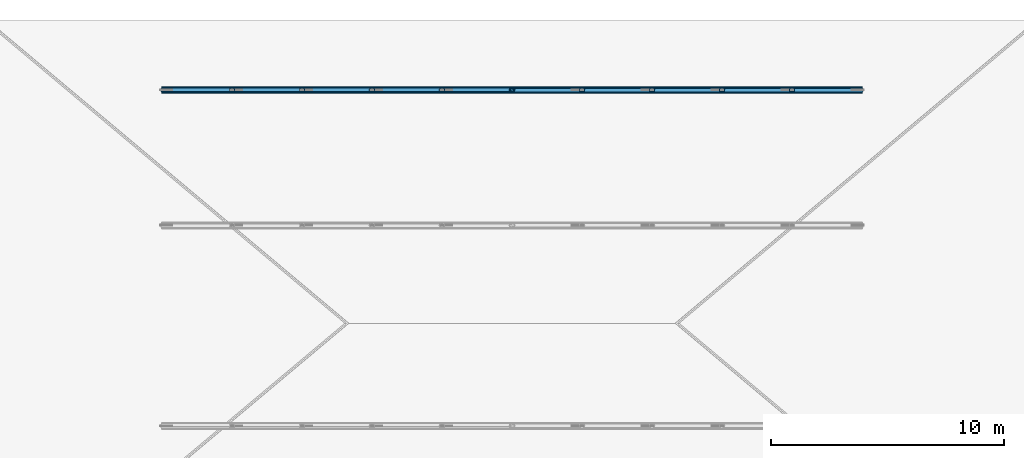
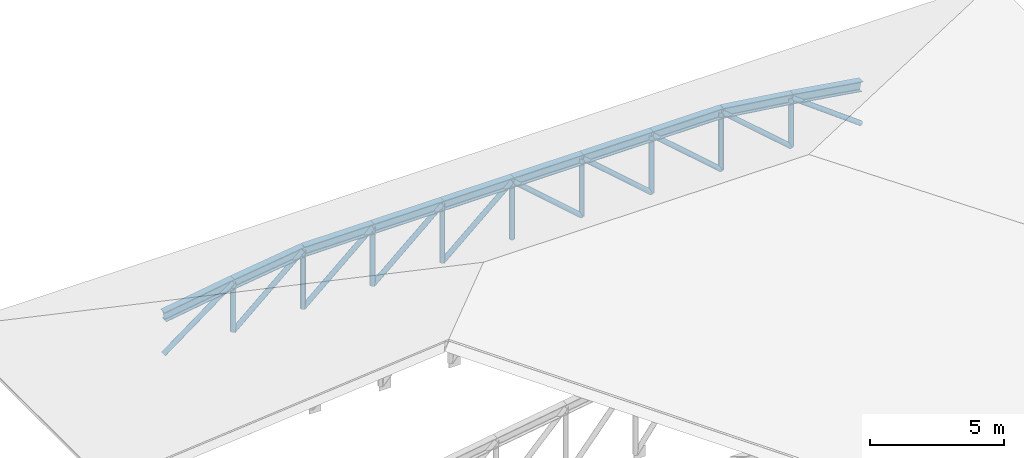
# One storey, part 3 of 6: 29 members.
"""IFC4 building model written with IfcOpenShell, lengths in metres."""

from ifc_helpers import new_model, si_unit, direction, frame, origin, origin_2d, place, context, subcontext, project, spatial, hollow_circle, i_section, extrude, material, material_profile, profile_set, type_object, element, save


model = new_model("IFC4")

# Units and contexts
model_context = context("Model", 3, precision=1e-05, world=origin(), true_north=direction((0.0, 1.0)))
body_context = subcontext(model_context, "Body", "Model", "MODEL_VIEW")
ifc_project = project(units=[si_unit("LENGTHUNIT", "METRE"), si_unit("AREAUNIT", "SQUARE_METRE"), si_unit("VOLUMEUNIT", "CUBIC_METRE"), si_unit("PLANEANGLEUNIT", "RADIAN"), si_unit("MASSUNIT", "GRAM", prefix="KILO")], contexts=[model_context])

# Site, building, storey
site_placement = place(None, origin())
site = spatial("IfcSite", under=ifc_project, at=site_placement, CompositionType="ELEMENT")
building_placement = place(site_placement, origin())
building = spatial("IfcBuilding", under=site, at=building_placement, Name="Muzn Square Opera House", CompositionType="ELEMENT")
storey_placement = place(building_placement, frame((0.0, 0.0, 35.39990234375)))
storey = spatial("IfcBuildingStorey", under=building, at=storey_placement, Name="RF-2", CompositionType="ELEMENT", Elevation=35.39990234375)

# Members
ifc_material = material(Name="Steel S355", Category="steel")
ifc_material_profile_1 = material_profile(ifc_material, i_section(OverallWidth=0.300048828125, OverallDepth=0.449951171875, WebThickness=0.013916015625, FlangeThickness=0.02587890625, FilletRadius=0.027099609375, at=origin_2d()), Name="HEB 450", Category="steel")
ifc_profile_set_1 = profile_set([ifc_material_profile_1], Name="Steel S355")
member_type_1 = type_object("IfcMemberType", Name="Stage Truss Chord HEB450", PredefinedType="CHORD", material=ifc_profile_set_1)
member_1_placement = place(storey_placement, frame((73.0, 95.60009765625, -0.25), z_axis=(0.987938344144, 0.0, 0.154847758042), x_axis=(0.0, 1.0, 0.0)))
element("IfcMember", 1, at=member_1_placement, inside=storey, type_object=member_type_1, Name="Stage Roof Truss Top Chord T4-0", PredefinedType="CHORD", context=body_context, shape_type="SweptSolid", body=[
    extrude(i_section(OverallWidth=0.300048828125, OverallDepth=0.449951171875, WebThickness=0.013916015625, FlangeThickness=0.02587890625, FilletRadius=0.027099609375, at=origin_2d()), origin(), (0.0, 0.0, 1.0), 3.03662109375),
])
member_2_placement = place(storey_placement, frame((76.0, 95.60009765625, 0.22021484375), z_axis=(0.990966088823, 0.0, 0.134112679501), x_axis=(0.0, 1.0, 0.0)))
element("IfcMember", 2, at=member_2_placement, inside=storey, type_object=member_type_1, Name="Stage Roof Truss Top Chord T4-1", PredefinedType="CHORD", context=body_context, shape_type="SweptSolid", body=[
    extrude(i_section(OverallWidth=0.300048828125, OverallDepth=0.449951171875, WebThickness=0.013916015625, FlangeThickness=0.02587890625, FilletRadius=0.027099609375, at=origin_2d()), origin(), (0.0, 0.0, 1.0), 3.02734375),
])
for number, where, z_axis, x_axis, name in (
    (3, (79.0, 95.60009765625, 0.626220703125), (1.0, 0.0, 0.0), (0.0, 1.0, 0.0), "Stage Roof Truss Top Chord T4-2"),
    (4, (82.0, 95.60009765625, 0.626220703125), (1.0, 0.0, 0.0), (0.0, 1.0, 0.0), "Stage Roof Truss Top Chord T4-3"),
    (5, (85.0, 95.60009765625, 0.626220703125), (1.0, 0.0, 0.0), (0.0, 1.0, 0.0), "Stage Roof Truss Top Chord T4-4"),
    (6, (88.0, 95.60009765625, 0.626220703125), (1.0, 0.0, 0.0), (0.0, 1.0, 0.0), "Stage Roof Truss Top Chord T4-5"),
    (7, (91.0, 95.60009765625, 0.626220703125), (1.0, 0.0, 0.0), (0.0, 1.0, 0.0), "Stage Roof Truss Top Chord T4-6"),
    (8, (94.0, 95.60009765625, 0.626220703125), (1.0, 0.0, 0.0), (0.0, 1.0, 0.0), "Stage Roof Truss Top Chord T4-7"),
):
    element("IfcMember", number, at=place(storey_placement, frame(where, z_axis=z_axis, x_axis=x_axis)), inside=storey, type_object=member_type_1, Name=name, PredefinedType="CHORD", context=body_context, shape_type="SweptSolid", body=[
        extrude(i_section(OverallWidth=0.300048828125, OverallDepth=0.449951171875, WebThickness=0.013916015625, FlangeThickness=0.02587890625, FilletRadius=0.027099609375, at=origin_2d()), origin(), (0.0, 0.0, 1.0), 3.0),
    ])
member_3_placement = place(storey_placement, frame((97.0, 95.60009765625, 0.626220703125), z_axis=(0.990966088823, 0.0, -0.134112679501), x_axis=(0.0, 1.0, 0.0)))
element("IfcMember", 9, at=member_3_placement, inside=storey, type_object=member_type_1, Name="Stage Roof Truss Top Chord T4-8", PredefinedType="CHORD", context=body_context, shape_type="SweptSolid", body=[
    extrude(i_section(OverallWidth=0.300048828125, OverallDepth=0.449951171875, WebThickness=0.013916015625, FlangeThickness=0.02587890625, FilletRadius=0.027099609375, at=origin_2d()), origin(), (0.0, 0.0, 1.0), 3.02734375),
])
member_4_placement = place(storey_placement, frame((100.0, 95.60009765625, 0.22021484375), z_axis=(0.987938344144, 0.0, -0.154847758042), x_axis=(0.0, 1.0, 0.0)))
element("IfcMember", 10, at=member_4_placement, inside=storey, type_object=member_type_1, Name="Stage Roof Truss Top Chord T4-9", PredefinedType="CHORD", context=body_context, shape_type="SweptSolid", body=[
    extrude(i_section(OverallWidth=0.300048828125, OverallDepth=0.449951171875, WebThickness=0.013916015625, FlangeThickness=0.02587890625, FilletRadius=0.027099609375, at=origin_2d()), origin(), (0.0, 0.0, 1.0), 3.03662109375),
])
ifc_material_profile_2 = material_profile(ifc_material, hollow_circle(Radius=0.109619140625, WallThickness=0.012451171875, at=origin_2d()), Name="CHS 219.1x12.5", Category="steel")
ifc_profile_set_2 = profile_set([ifc_material_profile_2], Name="Steel S355")
member_type_2 = type_object("IfcMemberType", Name="Stage Truss Diagonal CHS219", PredefinedType="BRACE", material=ifc_profile_set_2)
member_5_placement = place(storey_placement, frame((73.0, 95.60009765625, -2.0), z_axis=(0.803814373158, 0.0, 0.594880200968), x_axis=(0.0, 1.0, 0.0)))
element("IfcMember", 11, at=member_5_placement, inside=storey, type_object=member_type_2, Name="Stage Roof Truss Web Diagonal T4-0", PredefinedType="BRACE", context=body_context, shape_type="SweptSolid", body=[
    extrude(hollow_circle(Radius=0.109619140625, WallThickness=0.012451171875, at=origin_2d()), origin(), (0.0, 0.0, 1.0), 3.732177734375),
])
member_6_placement = place(storey_placement, frame((76.0, 95.60009765625, -2.0), z_axis=(0.0, 0.0, 1.0), x_axis=(1.0, 0.0, 0.0)))
element("IfcMember", 12, at=member_6_placement, inside=storey, type_object=member_type_2, Name="Stage Roof Truss Vertical Post T4-1", PredefinedType="BRACE", context=body_context, shape_type="SweptSolid", body=[
    extrude(hollow_circle(Radius=0.109619140625, WallThickness=0.012451171875, at=origin_2d()), origin(), (0.0, 0.0, 1.0), 2.22021484375),
])
member_7_placement = place(storey_placement, frame((76.0, 95.60009765625, -2.0), z_axis=(0.752424948184, 0.0, 0.658677992156), x_axis=(0.0, 1.0, 0.0)))
element("IfcMember", 13, at=member_7_placement, inside=storey, type_object=member_type_2, Name="Stage Roof Truss Web Diagonal T4-1", PredefinedType="BRACE", context=body_context, shape_type="SweptSolid", body=[
    extrude(hollow_circle(Radius=0.109619140625, WallThickness=0.012451171875, at=origin_2d()), origin(), (0.0, 0.0, 1.0), 3.987060546875),
])
member_8_placement = place(storey_placement, frame((79.0, 95.60009765625, -2.0), z_axis=(0.0, 0.0, 1.0), x_axis=(1.0, 0.0, 0.0)))
element("IfcMember", 14, at=member_8_placement, inside=storey, type_object=member_type_2, Name="Stage Roof Truss Vertical Post T4-2", PredefinedType="BRACE", context=body_context, shape_type="SweptSolid", body=[
    extrude(hollow_circle(Radius=0.109619140625, WallThickness=0.012451171875, at=origin_2d()), origin(), (0.0, 0.0, 1.0), 2.626220703125),
])
member_9_placement = place(storey_placement, frame((79.0, 95.60009765625, -2.0), z_axis=(0.752424948184, 0.0, 0.658677992156), x_axis=(0.0, 1.0, 0.0)))
element("IfcMember", 15, at=member_9_placement, inside=storey, type_object=member_type_2, Name="Stage Roof Truss Web Diagonal T4-2", PredefinedType="BRACE", context=body_context, shape_type="SweptSolid", body=[
    extrude(hollow_circle(Radius=0.109619140625, WallThickness=0.012451171875, at=origin_2d()), origin(), (0.0, 0.0, 1.0), 3.987060546875),
])
member_10_placement = place(storey_placement, frame((82.0, 95.60009765625, -2.0), z_axis=(0.0, 0.0, 1.0), x_axis=(1.0, 0.0, 0.0)))
element("IfcMember", 16, at=member_10_placement, inside=storey, type_object=member_type_2, Name="Stage Roof Truss Vertical Post T4-3", PredefinedType="BRACE", context=body_context, shape_type="SweptSolid", body=[
    extrude(hollow_circle(Radius=0.109619140625, WallThickness=0.012451171875, at=origin_2d()), origin(), (0.0, 0.0, 1.0), 2.626220703125),
])
member_11_placement = place(storey_placement, frame((82.0, 95.60009765625, -2.0), z_axis=(0.752424948184, 0.0, 0.658677992156), x_axis=(0.0, 1.0, 0.0)))
element("IfcMember", 17, at=member_11_placement, inside=storey, type_object=member_type_2, Name="Stage Roof Truss Web Diagonal T4-3", PredefinedType="BRACE", context=body_context, shape_type="SweptSolid", body=[
    extrude(hollow_circle(Radius=0.109619140625, WallThickness=0.012451171875, at=origin_2d()), origin(), (0.0, 0.0, 1.0), 3.987060546875),
])
member_12_placement = place(storey_placement, frame((85.0, 95.60009765625, -2.0), z_axis=(0.0, 0.0, 1.0), x_axis=(1.0, 0.0, 0.0)))
element("IfcMember", 18, at=member_12_placement, inside=storey, type_object=member_type_2, Name="Stage Roof Truss Vertical Post T4-4", PredefinedType="BRACE", context=body_context, shape_type="SweptSolid", body=[
    extrude(hollow_circle(Radius=0.109619140625, WallThickness=0.012451171875, at=origin_2d()), origin(), (0.0, 0.0, 1.0), 2.626220703125),
])
member_13_placement = place(storey_placement, frame((85.0, 95.60009765625, -2.0), z_axis=(0.752424948184, 0.0, 0.658677992156), x_axis=(0.0, 1.0, 0.0)))
element("IfcMember", 19, at=member_13_placement, inside=storey, type_object=member_type_2, Name="Stage Roof Truss Web Diagonal T4-4", PredefinedType="BRACE", context=body_context, shape_type="SweptSolid", body=[
    extrude(hollow_circle(Radius=0.109619140625, WallThickness=0.012451171875, at=origin_2d()), origin(), (0.0, 0.0, 1.0), 3.987060546875),
])
member_14_placement = place(storey_placement, frame((88.0, 95.60009765625, -2.0), z_axis=(0.0, 0.0, 1.0), x_axis=(1.0, 0.0, 0.0)))
element("IfcMember", 20, at=member_14_placement, inside=storey, type_object=member_type_2, Name="Stage Roof Truss Vertical Post T4-5", PredefinedType="BRACE", context=body_context, shape_type="SweptSolid", body=[
    extrude(hollow_circle(Radius=0.109619140625, WallThickness=0.012451171875, at=origin_2d()), origin(), (0.0, 0.0, 1.0), 2.626220703125),
])
member_15_placement = place(storey_placement, frame((91.0, 95.60009765625, -2.0), z_axis=(-0.752424948184, 0.0, 0.658677992156), x_axis=(0.0, -1.0, 0.0)))
element("IfcMember", 21, at=member_15_placement, inside=storey, type_object=member_type_2, Name="Stage Roof Truss Web Diagonal T4-5", PredefinedType="BRACE", context=body_context, shape_type="SweptSolid", body=[
    extrude(hollow_circle(Radius=0.109619140625, WallThickness=0.012451171875, at=origin_2d()), origin(), (0.0, 0.0, 1.0), 3.987060546875),
])
member_16_placement = place(storey_placement, frame((91.0, 95.60009765625, -2.0), z_axis=(0.0, 0.0, 1.0), x_axis=(1.0, 0.0, 0.0)))
element("IfcMember", 22, at=member_16_placement, inside=storey, type_object=member_type_2, Name="Stage Roof Truss Vertical Post T4-6", PredefinedType="BRACE", context=body_context, shape_type="SweptSolid", body=[
    extrude(hollow_circle(Radius=0.109619140625, WallThickness=0.012451171875, at=origin_2d()), origin(), (0.0, 0.0, 1.0), 2.626220703125),
])
member_17_placement = place(storey_placement, frame((94.0, 95.60009765625, -2.0), z_axis=(-0.752424948184, 0.0, 0.658677992156), x_axis=(0.0, -1.0, 0.0)))
element("IfcMember", 23, at=member_17_placement, inside=storey, type_object=member_type_2, Name="Stage Roof Truss Web Diagonal T4-6", PredefinedType="BRACE", context=body_context, shape_type="SweptSolid", body=[
    extrude(hollow_circle(Radius=0.109619140625, WallThickness=0.012451171875, at=origin_2d()), origin(), (0.0, 0.0, 1.0), 3.987060546875),
])
member_18_placement = place(storey_placement, frame((94.0, 95.60009765625, -2.0), z_axis=(0.0, 0.0, 1.0), x_axis=(1.0, 0.0, 0.0)))
element("IfcMember", 24, at=member_18_placement, inside=storey, type_object=member_type_2, Name="Stage Roof Truss Vertical Post T4-7", PredefinedType="BRACE", context=body_context, shape_type="SweptSolid", body=[
    extrude(hollow_circle(Radius=0.109619140625, WallThickness=0.012451171875, at=origin_2d()), origin(), (0.0, 0.0, 1.0), 2.626220703125),
])
member_19_placement = place(storey_placement, frame((97.0, 95.60009765625, -2.0), z_axis=(-0.752424948184, 0.0, 0.658677992156), x_axis=(0.0, -1.0, 0.0)))
element("IfcMember", 25, at=member_19_placement, inside=storey, type_object=member_type_2, Name="Stage Roof Truss Web Diagonal T4-7", PredefinedType="BRACE", context=body_context, shape_type="SweptSolid", body=[
    extrude(hollow_circle(Radius=0.109619140625, WallThickness=0.012451171875, at=origin_2d()), origin(), (0.0, 0.0, 1.0), 3.987060546875),
])
member_20_placement = place(storey_placement, frame((97.0, 95.60009765625, -2.0), z_axis=(0.0, 0.0, 1.0), x_axis=(1.0, 0.0, 0.0)))
element("IfcMember", 26, at=member_20_placement, inside=storey, type_object=member_type_2, Name="Stage Roof Truss Vertical Post T4-8", PredefinedType="BRACE", context=body_context, shape_type="SweptSolid", body=[
    extrude(hollow_circle(Radius=0.109619140625, WallThickness=0.012451171875, at=origin_2d()), origin(), (0.0, 0.0, 1.0), 2.626220703125),
])
member_21_placement = place(storey_placement, frame((100.0, 95.60009765625, -2.0), z_axis=(-0.752424948184, 0.0, 0.658677992156), x_axis=(0.0, -1.0, 0.0)))
element("IfcMember", 27, at=member_21_placement, inside=storey, type_object=member_type_2, Name="Stage Roof Truss Web Diagonal T4-8", PredefinedType="BRACE", context=body_context, shape_type="SweptSolid", body=[
    extrude(hollow_circle(Radius=0.109619140625, WallThickness=0.012451171875, at=origin_2d()), origin(), (0.0, 0.0, 1.0), 3.987060546875),
])
member_22_placement = place(storey_placement, frame((100.0, 95.60009765625, -2.0), z_axis=(0.0, 0.0, 1.0), x_axis=(1.0, 0.0, 0.0)))
element("IfcMember", 28, at=member_22_placement, inside=storey, type_object=member_type_2, Name="Stage Roof Truss Vertical Post T4-9", PredefinedType="BRACE", context=body_context, shape_type="SweptSolid", body=[
    extrude(hollow_circle(Radius=0.109619140625, WallThickness=0.012451171875, at=origin_2d()), origin(), (0.0, 0.0, 1.0), 2.22021484375),
])
member_23_placement = place(storey_placement, frame((103.0, 95.60009765625, -2.0), z_axis=(-0.803814373158, 0.0, 0.594880200968), x_axis=(0.0, -1.0, 0.0)))
element("IfcMember", 29, at=member_23_placement, inside=storey, type_object=member_type_2, Name="Stage Roof Truss Web Diagonal T4-9", PredefinedType="BRACE", context=body_context, shape_type="SweptSolid", body=[
    extrude(hollow_circle(Radius=0.109619140625, WallThickness=0.012451171875, at=origin_2d()), origin(), (0.0, 0.0, 1.0), 3.732177734375),
])

save(model, "model.ifc")
